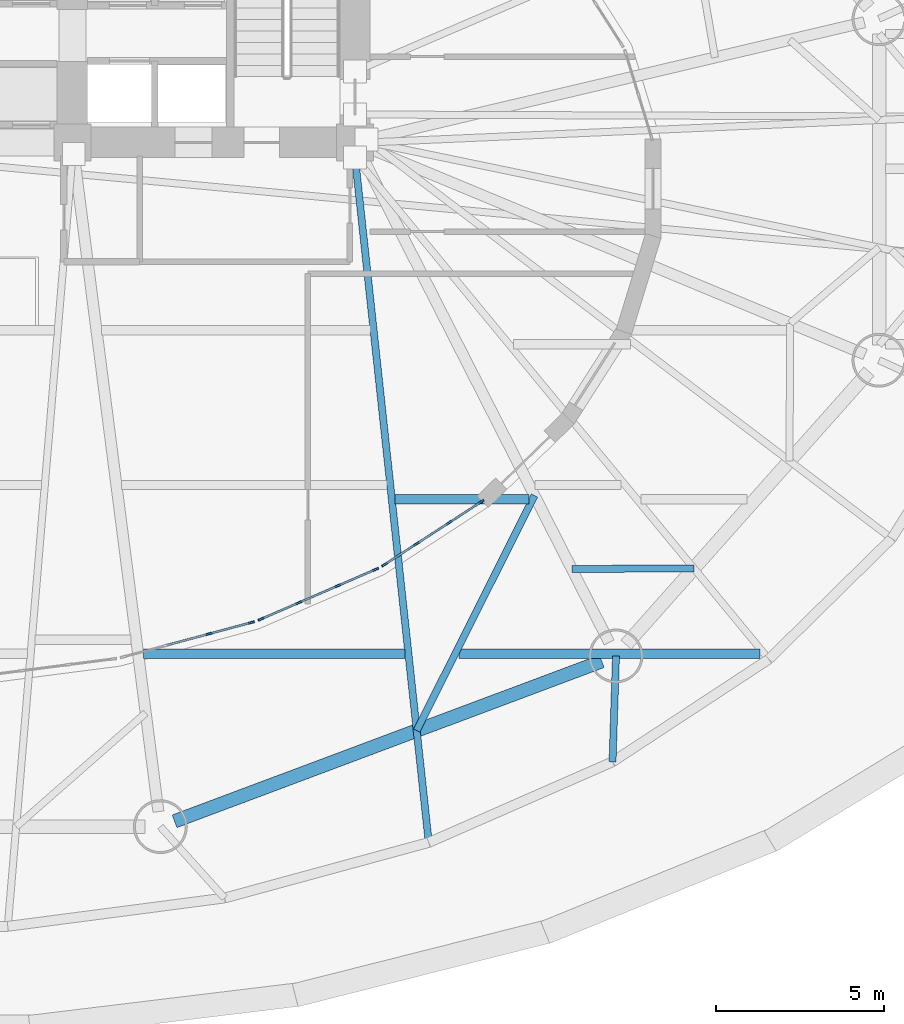
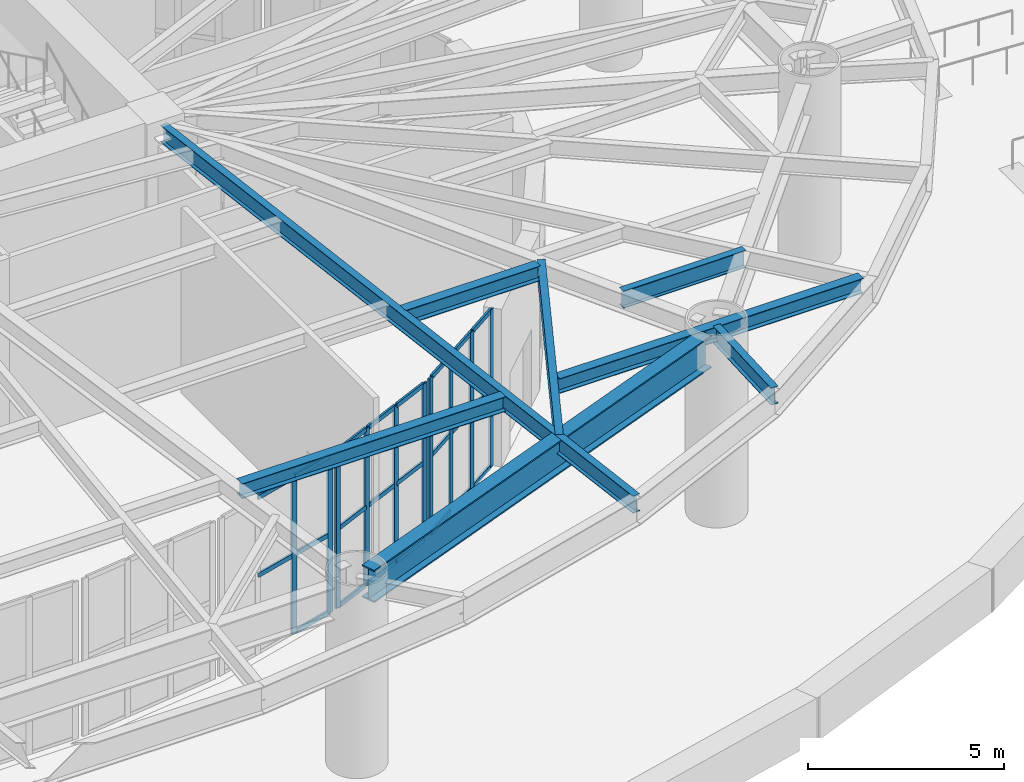
# One storey, part 5 of 21: 33 members, 8 beams, 3 elements without a shape of their own.
"""IFC4 building model written with IfcOpenShell, lengths in metres."""

from ifc_helpers import new_model, si_unit, direction, frame, origin, origin_2d, place, context, subcontext, project, spatial, rectangle, i_section, extrude, material, layer, layer_set, material_profile, profile_set, type_object, element, aggregate, save


model = new_model("IFC4")

# Units and contexts
model_context = context("Model", 3, precision=1e-05, world=origin(), true_north=direction((0.0, 1.0)))
body_context = subcontext(model_context, "Body", "Model", "MODEL_VIEW")
ifc_project = project(units=[si_unit("LENGTHUNIT", "METRE"), si_unit("AREAUNIT", "SQUARE_METRE"), si_unit("VOLUMEUNIT", "CUBIC_METRE"), si_unit("PLANEANGLEUNIT", "RADIAN"), si_unit("MASSUNIT", "GRAM", prefix="KILO")], contexts=[model_context])

# Site, building, storey
site_placement = place(None, origin())
site = spatial("IfcSite", under=ifc_project, at=site_placement, CompositionType="ELEMENT")
building_placement = place(site_placement, origin())
building = spatial("IfcBuilding", under=site, at=building_placement, Name="Keldmark Tower", CompositionType="ELEMENT")
storey_placement = place(building_placement, origin())
storey = spatial("IfcBuildingStorey", under=building, at=storey_placement, Name="L00", CompositionType="ELEMENT", Elevation=0.0)

# Beams
ifc_material_1 = material(Name="Steel ASTM A992 Grade 50", Category="steel")
ifc_material_profile_1 = material_profile(ifc_material_1, i_section(OverallWidth=0.280029296875, OverallDepth=0.462890625, WebThickness=0.0107421875, FlangeThickness=0.017333984375, at=origin_2d()), Name="W18X76")
ifc_profile_set_1 = profile_set([ifc_material_profile_1], Name="Steel ASTM A992 Grade 50")
beam_type_1 = type_object("IfcBeamType", Name="Composite Floor Joist W18X76", PredefinedType="JOIST", material=ifc_profile_set_1)
beam_1_placement = place(storey_placement, frame((7.311767578125, -13.800048828125, 5.548583984375), z_axis=(1.0, 0.0, 0.0), x_axis=(0.0, 1.0, 0.0)))
element("IfcBeam", 1, at=beam_1_placement, inside=storey, type_object=beam_type_1, Name="L00 Composite Floor Joist J06", PredefinedType="JOIST", context=body_context, shape_type="SweptSolid", body=[
    extrude(i_section(OverallWidth=0.280029296875, OverallDepth=0.462890625, WebThickness=0.0107421875, FlangeThickness=0.017333984375, at=origin_2d()), origin(), (0.0, 0.0, 1.0), 7.780029296875),
])
beam_2_placement = place(storey_placement, frame((16.68310546875, -13.800048828125, 5.548583984375), z_axis=(1.0, 0.0, 0.0), x_axis=(0.0, 1.0, 0.0)))
element("IfcBeam", 2, at=beam_2_placement, inside=storey, type_object=beam_type_1, Name="L00 Composite Floor Joist J07", PredefinedType="JOIST", context=body_context, shape_type="SweptSolid", body=[
    extrude(i_section(OverallWidth=0.280029296875, OverallDepth=0.462890625, WebThickness=0.0107421875, FlangeThickness=0.017333984375, at=origin_2d()), origin(), (0.0, 0.0, 1.0), 8.95751953125),
])
beam_3_placement = place(storey_placement, frame((14.789794921875, -9.199951171875, 5.548583984375), z_axis=(1.0, 0.0, 0.0), x_axis=(0.0, 1.0, 0.0)))
element("IfcBeam", 3, at=beam_3_placement, inside=storey, type_object=beam_type_1, Name="L00 Composite Floor Joist J14", PredefinedType="JOIST", context=body_context, shape_type="SweptSolid", body=[
    extrude(i_section(OverallWidth=0.280029296875, OverallDepth=0.462890625, WebThickness=0.0107421875, FlangeThickness=0.017333984375, at=origin_2d()), origin(), (0.0, 0.0, 1.0), 3.982421875),
])

# Curtain wall, members
ifc_material_2 = material(Name="Unitized Thermally Broken Aluminum and Triple Low-E Glazing", Category="aluminium")
ifc_layer = layer(ifc_material_2, 0.219970703125)
ifc_layer_set = layer_set([ifc_layer], Name="Unitized Thermally Broken Aluminum and Triple Low-E Glazing")
curtain_wall_type = type_object("IfcCurtainWallType", Name="Podium Wintergarden Curtain Wall System", PredefinedType="NOTDEFINED", material=ifc_layer_set)
curtain_wall_1_placement = place(storey_placement, origin())
curtain_wall_1 = element("IfcCurtainWall", 4, at=curtain_wall_1_placement, inside=storey, type_object=curtain_wall_type, Name="L00 Podium Wintergarden Curtain Wall System CW-L00-26", PredefinedType="NOTDEFINED")
ifc_material_3 = material(Name="Extruded Aluminum Alloy 6063-T6", Category="aluminium")
ifc_material_profile_2 = material_profile(ifc_material_3, rectangle(XDim=0.06005859375, YDim=0.139892578125, at=origin_2d()), Name="CWT60X140")
ifc_profile_set_2 = profile_set([ifc_material_profile_2], Name="Extruded Aluminum Alloy 6063-T6")
member_type_1 = type_object("IfcMemberType", Name="Curtain Wall Horizontal Transom 60x140", PredefinedType="USERDEFINED", material=ifc_profile_set_2)
member_1_placement = place(storey_placement, frame((8.006591796875, -13.540771484375, 2.45458984375), z_axis=(0.965749049902, 0.259477884632, 0.0), x_axis=(-0.259477884632, 0.965749049902, 0.0)))
member_1 = element("IfcMember", 5, at=member_1_placement, type_object=member_type_1, Name="CW transom 2.2", ObjectType="TRANSOM", PredefinedType="USERDEFINED", context=body_context, shape_type="SweptSolid", body=[
    extrude(rectangle(XDim=0.06005859375, YDim=0.139892578125, at=origin_2d()), origin(), (0.0, 0.0, 1.0), 1.27197265625),
])
member_2_placement = place(storey_placement, frame((8.006591796875, -13.540771484375, 4.87890625), z_axis=(0.965749049902, 0.259477884632, 0.0), x_axis=(-0.259477884632, 0.965749049902, 0.0)))
member_2 = element("IfcMember", 6, at=member_2_placement, type_object=member_type_1, Name="CW transom 2.3", ObjectType="TRANSOM", PredefinedType="USERDEFINED", context=body_context, shape_type="SweptSolid", body=[
    extrude(rectangle(XDim=0.06005859375, YDim=0.139892578125, at=origin_2d()), origin(), (0.0, 0.0, 1.0), 1.27197265625),
])
member_3_placement = place(storey_placement, frame((9.29296875, -13.195068359375, 0.030029296875), z_axis=(0.965701108512, 0.259656251647, 0.0), x_axis=(-0.259656251647, 0.965701108512, 0.0)))
member_3 = element("IfcMember", 7, at=member_3_placement, type_object=member_type_1, Name="CW transom 3.1", ObjectType="TRANSOM", PredefinedType="USERDEFINED", context=body_context, shape_type="SweptSolid", body=[
    extrude(rectangle(XDim=0.06005859375, YDim=0.139892578125, at=origin_2d()), origin(), (0.0, 0.0, 1.0), 1.241943359375),
])
member_4_placement = place(storey_placement, frame((9.29296875, -13.195068359375, 2.45458984375), z_axis=(0.965701108512, 0.259656251647, 0.0), x_axis=(-0.259656251647, 0.965701108512, 0.0)))
member_4 = element("IfcMember", 8, at=member_4_placement, type_object=member_type_1, Name="CW transom 3.2", ObjectType="TRANSOM", PredefinedType="USERDEFINED", context=body_context, shape_type="SweptSolid", body=[
    extrude(rectangle(XDim=0.06005859375, YDim=0.139892578125, at=origin_2d()), origin(), (0.0, 0.0, 1.0), 1.241943359375),
])
member_5_placement = place(storey_placement, frame((9.29296875, -13.195068359375, 4.87890625), z_axis=(0.965701108512, 0.259656251647, 0.0), x_axis=(-0.259656251647, 0.965701108512, 0.0)))
member_5 = element("IfcMember", 9, at=member_5_placement, type_object=member_type_1, Name="CW transom 3.3", ObjectType="TRANSOM", PredefinedType="USERDEFINED", context=body_context, shape_type="SweptSolid", body=[
    extrude(rectangle(XDim=0.06005859375, YDim=0.139892578125, at=origin_2d()), origin(), (0.0, 0.0, 1.0), 1.241943359375),
])

curtain_wall_2_placement = place(storey_placement, origin())
curtain_wall_2 = element("IfcCurtainWall", 10, at=curtain_wall_2_placement, inside=storey, type_object=curtain_wall_type, Name="L00 Podium Wintergarden Curtain Wall System CW-L00-27", PredefinedType="NOTDEFINED")
member_6_placement = place(storey_placement, frame((10.835693359375, -12.752685546875, 0.030029296875), z_axis=(0.917448753601, 0.39785397386, 0.0), x_axis=(-0.39785397386, 0.917448753601, 0.0)))
member_6 = element("IfcMember", 11, at=member_6_placement, type_object=member_type_1, Name="CW transom 1.1", ObjectType="TRANSOM", PredefinedType="USERDEFINED", context=body_context, shape_type="SweptSolid", body=[
    extrude(rectangle(XDim=0.06005859375, YDim=0.139892578125, at=origin_2d()), origin(), (0.0, 0.0, 1.0), 1.167236328125),
])
member_7_placement = place(storey_placement, frame((10.835693359375, -12.752685546875, 2.45458984375), z_axis=(0.917448753601, 0.39785397386, 0.0), x_axis=(-0.39785397386, 0.917448753601, 0.0)))
member_7 = element("IfcMember", 12, at=member_7_placement, type_object=member_type_1, Name="CW transom 1.2", ObjectType="TRANSOM", PredefinedType="USERDEFINED", context=body_context, shape_type="SweptSolid", body=[
    extrude(rectangle(XDim=0.06005859375, YDim=0.139892578125, at=origin_2d()), origin(), (0.0, 0.0, 1.0), 1.167236328125),
])
member_8_placement = place(storey_placement, frame((10.835693359375, -12.752685546875, 4.87890625), z_axis=(0.917448753601, 0.39785397386, 0.0), x_axis=(-0.39785397386, 0.917448753601, 0.0)))
member_8 = element("IfcMember", 13, at=member_8_placement, type_object=member_type_1, Name="CW transom 1.3", ObjectType="TRANSOM", PredefinedType="USERDEFINED", context=body_context, shape_type="SweptSolid", body=[
    extrude(rectangle(XDim=0.06005859375, YDim=0.139892578125, at=origin_2d()), origin(), (0.0, 0.0, 1.0), 1.167236328125),
])
member_9_placement = place(storey_placement, frame((11.96142578125, -12.264404296875, 0.030029296875), z_axis=(0.917416669768, 0.397927950804, 0.0), x_axis=(-0.397927950804, 0.917416669768, 0.0)))
member_9 = element("IfcMember", 14, at=member_9_placement, type_object=member_type_1, Name="CW transom 2.1", ObjectType="TRANSOM", PredefinedType="USERDEFINED", context=body_context, shape_type="SweptSolid", body=[
    extrude(rectangle(XDim=0.06005859375, YDim=0.139892578125, at=origin_2d()), origin(), (0.0, 0.0, 1.0), 1.197021484375),
])
member_10_placement = place(storey_placement, frame((11.96142578125, -12.264404296875, 2.45458984375), z_axis=(0.917416669768, 0.397927950804, 0.0), x_axis=(-0.397927950804, 0.917416669768, 0.0)))
member_10 = element("IfcMember", 15, at=member_10_placement, type_object=member_type_1, Name="CW transom 2.2", ObjectType="TRANSOM", PredefinedType="USERDEFINED", context=body_context, shape_type="SweptSolid", body=[
    extrude(rectangle(XDim=0.06005859375, YDim=0.139892578125, at=origin_2d()), origin(), (0.0, 0.0, 1.0), 1.197021484375),
])
member_11_placement = place(storey_placement, frame((11.96142578125, -12.264404296875, 4.87890625), z_axis=(0.917416669768, 0.397927950804, 0.0), x_axis=(-0.397927950804, 0.917416669768, 0.0)))
member_11 = element("IfcMember", 16, at=member_11_placement, type_object=member_type_1, Name="CW transom 2.3", ObjectType="TRANSOM", PredefinedType="USERDEFINED", context=body_context, shape_type="SweptSolid", body=[
    extrude(rectangle(XDim=0.06005859375, YDim=0.139892578125, at=origin_2d()), origin(), (0.0, 0.0, 1.0), 1.197021484375),
])
member_12_placement = place(storey_placement, frame((13.114501953125, -11.764404296875, 0.030029296875), z_axis=(0.917448753601, 0.39785397386, 0.0), x_axis=(-0.39785397386, 0.917448753601, 0.0)))
member_12 = element("IfcMember", 17, at=member_12_placement, type_object=member_type_1, Name="CW transom 3.1", ObjectType="TRANSOM", PredefinedType="USERDEFINED", context=body_context, shape_type="SweptSolid", body=[
    extrude(rectangle(XDim=0.06005859375, YDim=0.139892578125, at=origin_2d()), origin(), (0.0, 0.0, 1.0), 1.167236328125),
])
member_13_placement = place(storey_placement, frame((13.114501953125, -11.764404296875, 2.45458984375), z_axis=(0.917448753601, 0.39785397386, 0.0), x_axis=(-0.39785397386, 0.917448753601, 0.0)))
member_13 = element("IfcMember", 18, at=member_13_placement, type_object=member_type_1, Name="CW transom 3.2", ObjectType="TRANSOM", PredefinedType="USERDEFINED", context=body_context, shape_type="SweptSolid", body=[
    extrude(rectangle(XDim=0.06005859375, YDim=0.139892578125, at=origin_2d()), origin(), (0.0, 0.0, 1.0), 1.167236328125),
])
member_14_placement = place(storey_placement, frame((13.114501953125, -11.764404296875, 4.87890625), z_axis=(0.917448753601, 0.39785397386, 0.0), x_axis=(-0.39785397386, 0.917448753601, 0.0)))
member_14 = element("IfcMember", 19, at=member_14_placement, type_object=member_type_1, Name="CW transom 3.3", ObjectType="TRANSOM", PredefinedType="USERDEFINED", context=body_context, shape_type="SweptSolid", body=[
    extrude(rectangle(XDim=0.06005859375, YDim=0.139892578125, at=origin_2d()), origin(), (0.0, 0.0, 1.0), 1.167236328125),
])

curtain_wall_3_placement = place(storey_placement, origin())
curtain_wall_3 = element("IfcCurtainWall", 20, at=curtain_wall_3_placement, inside=storey, type_object=curtain_wall_type, Name="L00 Podium Wintergarden Curtain Wall System CW-L00-28", PredefinedType="NOTDEFINED")
member_15_placement = place(storey_placement, frame((14.501220703125, -11.13037109375, 0.030029296875), z_axis=(0.838781485441, 0.544468198962, 0.0), x_axis=(-0.544468198962, 0.838781485441, 0.0)))
member_15 = element("IfcMember", 21, at=member_15_placement, type_object=member_type_1, Name="CW transom 1.1", ObjectType="TRANSOM", PredefinedType="USERDEFINED", context=body_context, shape_type="SweptSolid", body=[
    extrude(rectangle(XDim=0.06005859375, YDim=0.139892578125, at=origin_2d()), origin(), (0.0, 0.0, 1.0), 1.072509765625),
])
member_16_placement = place(storey_placement, frame((14.501220703125, -11.13037109375, 2.45458984375), z_axis=(0.838781485441, 0.544468198962, 0.0), x_axis=(-0.544468198962, 0.838781485441, 0.0)))
member_16 = element("IfcMember", 22, at=member_16_placement, type_object=member_type_1, Name="CW transom 1.2", ObjectType="TRANSOM", PredefinedType="USERDEFINED", context=body_context, shape_type="SweptSolid", body=[
    extrude(rectangle(XDim=0.06005859375, YDim=0.139892578125, at=origin_2d()), origin(), (0.0, 0.0, 1.0), 1.072509765625),
])
member_17_placement = place(storey_placement, frame((14.501220703125, -11.13037109375, 4.87890625), z_axis=(0.838781485441, 0.544468198962, 0.0), x_axis=(-0.544468198962, 0.838781485441, 0.0)))
member_17 = element("IfcMember", 23, at=member_17_placement, type_object=member_type_1, Name="CW transom 1.3", ObjectType="TRANSOM", PredefinedType="USERDEFINED", context=body_context, shape_type="SweptSolid", body=[
    extrude(rectangle(XDim=0.06005859375, YDim=0.139892578125, at=origin_2d()), origin(), (0.0, 0.0, 1.0), 1.072509765625),
])
member_18_placement = place(storey_placement, frame((15.451171875, -10.513671875, 0.030029296875), z_axis=(0.838832870978, 0.544389028698, 0.0), x_axis=(-0.544389028698, 0.838832870978, 0.0)))
member_18 = element("IfcMember", 24, at=member_18_placement, type_object=member_type_1, Name="CW transom 2.1", ObjectType="TRANSOM", PredefinedType="USERDEFINED", context=body_context, shape_type="SweptSolid", body=[
    extrude(rectangle(XDim=0.06005859375, YDim=0.139892578125, at=origin_2d()), origin(), (0.0, 0.0, 1.0), 1.102783203125),
])
member_19_placement = place(storey_placement, frame((15.451171875, -10.513671875, 2.45458984375), z_axis=(0.838832870978, 0.544389028698, 0.0), x_axis=(-0.544389028698, 0.838832870978, 0.0)))
member_19 = element("IfcMember", 25, at=member_19_placement, type_object=member_type_1, Name="CW transom 2.2", ObjectType="TRANSOM", PredefinedType="USERDEFINED", context=body_context, shape_type="SweptSolid", body=[
    extrude(rectangle(XDim=0.06005859375, YDim=0.139892578125, at=origin_2d()), origin(), (0.0, 0.0, 1.0), 1.102783203125),
])
member_20_placement = place(storey_placement, frame((15.451171875, -10.513671875, 4.87890625), z_axis=(0.838832870978, 0.544389028698, 0.0), x_axis=(-0.544389028698, 0.838832870978, 0.0)))
member_20 = element("IfcMember", 26, at=member_20_placement, type_object=member_type_1, Name="CW transom 2.3", ObjectType="TRANSOM", PredefinedType="USERDEFINED", context=body_context, shape_type="SweptSolid", body=[
    extrude(rectangle(XDim=0.06005859375, YDim=0.139892578125, at=origin_2d()), origin(), (0.0, 0.0, 1.0), 1.102783203125),
])
member_21_placement = place(storey_placement, frame((16.426513671875, -9.880615234375, 0.030029296875), z_axis=(0.838781485441, 0.544468198962, 0.0), x_axis=(-0.544468198962, 0.838781485441, 0.0)))
member_21 = element("IfcMember", 27, at=member_21_placement, type_object=member_type_1, Name="CW transom 3.1", ObjectType="TRANSOM", PredefinedType="USERDEFINED", context=body_context, shape_type="SweptSolid", body=[
    extrude(rectangle(XDim=0.06005859375, YDim=0.139892578125, at=origin_2d()), origin(), (0.0, 0.0, 1.0), 1.072509765625),
])
member_22_placement = place(storey_placement, frame((16.426513671875, -9.880615234375, 2.45458984375), z_axis=(0.838781485441, 0.544468198962, 0.0), x_axis=(-0.544468198962, 0.838781485441, 0.0)))
member_22 = element("IfcMember", 28, at=member_22_placement, type_object=member_type_1, Name="CW transom 3.2", ObjectType="TRANSOM", PredefinedType="USERDEFINED", context=body_context, shape_type="SweptSolid", body=[
    extrude(rectangle(XDim=0.06005859375, YDim=0.139892578125, at=origin_2d()), origin(), (0.0, 0.0, 1.0), 1.072509765625),
])
member_23_placement = place(storey_placement, frame((16.426513671875, -9.880615234375, 4.87890625), z_axis=(0.838781485441, 0.544468198962, 0.0), x_axis=(-0.544468198962, 0.838781485441, 0.0)))
member_23 = element("IfcMember", 29, at=member_23_placement, type_object=member_type_1, Name="CW transom 3.3", ObjectType="TRANSOM", PredefinedType="USERDEFINED", context=body_context, shape_type="SweptSolid", body=[
    extrude(rectangle(XDim=0.06005859375, YDim=0.139892578125, at=origin_2d()), origin(), (0.0, 0.0, 1.0), 1.072509765625),
])

# Member
ifc_material_4 = material(Name="Extruded Aluminum Alloy 6063-T6", Category="aluminium")
ifc_material_profile_3 = material_profile(ifc_material_4, rectangle(XDim=0.06005859375, YDim=0.179931640625, at=origin_2d()), Name="CWM60X180")
ifc_profile_set_3 = profile_set([ifc_material_profile_3], Name="Extruded Aluminum Alloy 6063-T6")
member_type_2 = type_object("IfcMemberType", Name="Curtain Wall Structural Mullion 60x180", PredefinedType="MULLION", material=ifc_profile_set_3)
member_24_placement = place(storey_placement, frame((9.263916015625, -13.202880859375, 0.0), z_axis=(0.0, 0.0, 1.0), x_axis=(-0.259638704032, 0.965705826517, 0.0)))
member_24 = element("IfcMember", 30, at=member_24_placement, type_object=member_type_2, Name="CW mullion 3", PredefinedType="MULLION", context=body_context, shape_type="SweptSolid", body=[
    extrude(rectangle(XDim=0.06005859375, YDim=0.179931640625, at=origin_2d()), origin(), (0.0, 0.0, 1.0), 4.908935546875),
])

member_25_placement = place(storey_placement, frame((10.521240234375, -12.86474609375, 0.0), z_axis=(0.0, 0.0, 1.0), x_axis=(-0.259638704032, 0.965705826517, 0.0)))
member_25 = element("IfcMember", 31, at=member_25_placement, type_object=member_type_2, Name="CW mullion 4", PredefinedType="MULLION", context=body_context, shape_type="SweptSolid", body=[
    extrude(rectangle(XDim=0.06005859375, YDim=0.179931640625, at=origin_2d()), origin(), (0.0, 0.0, 1.0), 4.908935546875),
])

aggregate(curtain_wall_1, [member_24, member_25, member_1, member_2, member_3, member_4, member_5])

member_26_placement = place(storey_placement, frame((10.80810546875, -12.7646484375, 0.0), z_axis=(0.0, 0.0, 1.0), x_axis=(-0.397884264234, 0.91743561751, 0.0)))
member_26 = element("IfcMember", 32, at=member_26_placement, type_object=member_type_2, Name="CW mullion 1", PredefinedType="MULLION", context=body_context, shape_type="SweptSolid", body=[
    extrude(rectangle(XDim=0.06005859375, YDim=0.179931640625, at=origin_2d()), origin(), (0.0, 0.0, 1.0), 4.908935546875),
])

member_27_placement = place(storey_placement, frame((11.933837890625, -12.2763671875, 0.0), z_axis=(0.0, 0.0, 1.0), x_axis=(-0.397884264234, 0.91743561751, 0.0)))
member_27 = element("IfcMember", 33, at=member_27_placement, type_object=member_type_2, Name="CW mullion 2", PredefinedType="MULLION", context=body_context, shape_type="SweptSolid", body=[
    extrude(rectangle(XDim=0.06005859375, YDim=0.179931640625, at=origin_2d()), origin(), (0.0, 0.0, 1.0), 4.908935546875),
])

member_28_placement = place(storey_placement, frame((13.087158203125, -11.776123046875, 0.0), z_axis=(0.0, 0.0, 1.0), x_axis=(-0.397884264234, 0.91743561751, 0.0)))
member_28 = element("IfcMember", 34, at=member_28_placement, type_object=member_type_2, Name="CW mullion 3", PredefinedType="MULLION", context=body_context, shape_type="SweptSolid", body=[
    extrude(rectangle(XDim=0.06005859375, YDim=0.179931640625, at=origin_2d()), origin(), (0.0, 0.0, 1.0), 4.908935546875),
])

member_29_placement = place(storey_placement, frame((14.212890625, -11.2880859375, 0.0), z_axis=(0.0, 0.0, 1.0), x_axis=(-0.397884264234, 0.91743561751, 0.0)))
member_29 = element("IfcMember", 35, at=member_29_placement, type_object=member_type_2, Name="CW mullion 4", PredefinedType="MULLION", context=body_context, shape_type="SweptSolid", body=[
    extrude(rectangle(XDim=0.06005859375, YDim=0.179931640625, at=origin_2d()), origin(), (0.0, 0.0, 1.0), 4.908935546875),
])

aggregate(curtain_wall_2, [member_26, member_27, member_28, member_29, member_6, member_7, member_8, member_9, member_10, member_11, member_12, member_13, member_14])

member_30_placement = place(storey_placement, frame((14.47607421875, -11.146728515625, 0.0), z_axis=(0.0, 0.0, 1.0), x_axis=(-0.544496486973, 0.838763122505, 0.0)))
member_30 = element("IfcMember", 36, at=member_30_placement, type_object=member_type_2, Name="CW mullion 1", PredefinedType="MULLION", context=body_context, shape_type="SweptSolid", body=[
    extrude(rectangle(XDim=0.06005859375, YDim=0.179931640625, at=origin_2d()), origin(), (0.0, 0.0, 1.0), 4.908935546875),
])

member_31_placement = place(storey_placement, frame((15.426025390625, -10.530029296875, 0.0), z_axis=(0.0, 0.0, 1.0), x_axis=(-0.544496486973, 0.838763122505, 0.0)))
member_31 = element("IfcMember", 37, at=member_31_placement, type_object=member_type_2, Name="CW mullion 2", PredefinedType="MULLION", context=body_context, shape_type="SweptSolid", body=[
    extrude(rectangle(XDim=0.06005859375, YDim=0.179931640625, at=origin_2d()), origin(), (0.0, 0.0, 1.0), 4.908935546875),
])

member_32_placement = place(storey_placement, frame((16.4013671875, -9.89697265625, 0.0), z_axis=(0.0, 0.0, 1.0), x_axis=(-0.544496486973, 0.838763122505, 0.0)))
member_32 = element("IfcMember", 38, at=member_32_placement, type_object=member_type_2, Name="CW mullion 3", PredefinedType="MULLION", context=body_context, shape_type="SweptSolid", body=[
    extrude(rectangle(XDim=0.06005859375, YDim=0.179931640625, at=origin_2d()), origin(), (0.0, 0.0, 1.0), 4.908935546875),
])

member_33_placement = place(storey_placement, frame((17.351318359375, -9.2802734375, 0.0), z_axis=(0.0, 0.0, 1.0), x_axis=(-0.544496486973, 0.838763122505, 0.0)))
member_33 = element("IfcMember", 39, at=member_33_placement, type_object=member_type_2, Name="CW mullion 4", PredefinedType="MULLION", context=body_context, shape_type="SweptSolid", body=[
    extrude(rectangle(XDim=0.06005859375, YDim=0.179931640625, at=origin_2d()), origin(), (0.0, 0.0, 1.0), 4.908935546875),
])

aggregate(curtain_wall_3, [member_30, member_31, member_32, member_33, member_15, member_16, member_17, member_18, member_19, member_20, member_21, member_22, member_23])

# Beams
ifc_material_5 = material(Name="Steel ASTM A992 Grade 50", Category="steel")
ifc_material_profile_4 = material_profile(ifc_material_5, i_section(OverallWidth=0.402099609375, OverallDepth=1.011962890625, WebThickness=0.023681640625, FlangeThickness=0.0419921875, at=origin_2d()), Name="W40X297")
ifc_profile_set_4 = profile_set([ifc_material_profile_4], Name="Steel ASTM A992 Grade 50")
beam_type_2 = type_object("IfcBeamType", Name="Podium Primary Girder W40X297", PredefinedType="BEAM", material=ifc_profile_set_4)
beam_4_placement = place(storey_placement, frame((8.23779296875, -18.774169921875, 5.27392578125), z_axis=(0.936417954382, 0.350886612329, 0.0), x_axis=(-0.350886612329, 0.936417954382, 0.0)))
element("IfcBeam", 40, at=beam_4_placement, inside=storey, type_object=beam_type_2, Name="L00 Podium Ring Girder PG-R10", PredefinedType="BEAM", context=body_context, shape_type="SweptSolid", body=[
    extrude(i_section(OverallWidth=0.402099609375, OverallDepth=1.011962890625, WebThickness=0.023681640625, FlangeThickness=0.0419921875, at=origin_2d()), origin(), (0.0, 0.0, 1.0), 13.557373046875),
])
ifc_material_6 = material(Name="Steel ASTM A992 Grade 50", Category="steel")
ifc_material_profile_5 = material_profile(ifc_material_6, i_section(OverallWidth=0.2099609375, OverallDepth=0.537109375, WebThickness=0.010986328125, FlangeThickness=0.017333984375, at=origin_2d()), Name="W21X68")
ifc_profile_set_5 = profile_set([ifc_material_profile_5], Name="Steel ASTM A992 Grade 50")
beam_type_3 = type_object("IfcBeamType", Name="Radial Tie Girder W21X68", PredefinedType="BEAM", material=ifc_profile_set_5)
beam_5_placement = place(storey_placement, frame((18.93310546875, -9.09423828125, 5.511474609375), z_axis=(-0.447976051769, -0.894045556469, 0.0), x_axis=(0.894045556469, -0.447976051769, 0.0)))
element("IfcBeam", 41, at=beam_5_placement, inside=storey, type_object=beam_type_3, Name="L00 Framing Pin Header PH-021", PredefinedType="BEAM", context=body_context, shape_type="SweptSolid", body=[
    extrude(i_section(OverallWidth=0.2099609375, OverallDepth=0.537109375, WebThickness=0.010986328125, FlangeThickness=0.017333984375, at=origin_2d()), origin(), (0.0, 0.0, 1.0), 7.811279296875),
])
beam_6_placement = place(storey_placement, frame((13.60009765625, 0.949951171875, 5.511474609375), z_axis=(0.10706666985, -0.994251843452, 0.0), x_axis=(0.994251843452, 0.10706666985, 0.0)))
element("IfcBeam", 42, at=beam_6_placement, inside=storey, type_object=beam_type_3, Name="L00 Perimeter Radial Tie Girder RT-27", PredefinedType="BEAM", context=body_context, shape_type="SweptSolid", body=[
    extrude(i_section(OverallWidth=0.2099609375, OverallDepth=0.537109375, WebThickness=0.010986328125, FlangeThickness=0.017333984375, at=origin_2d()), origin(), (0.0, 0.0, 1.0), 20.469970703125),
])
beam_7_placement = place(storey_placement, frame((21.3544921875, -13.859375, 5.511474609375), z_axis=(-0.032491176768, -0.999472022336, 0.0), x_axis=(0.999472022336, -0.032491176768, 0.0)))
element("IfcBeam", 43, at=beam_7_placement, inside=storey, type_object=beam_type_3, Name="L00 Perimeter Column Bracket RT-28", PredefinedType="BEAM", context=body_context, shape_type="SweptSolid", body=[
    extrude(i_section(OverallWidth=0.2099609375, OverallDepth=0.537109375, WebThickness=0.010986328125, FlangeThickness=0.017333984375, at=origin_2d()), origin(), (0.0, 0.0, 1.0), 3.1484375),
])
beam_8_placement = place(storey_placement, frame((20.0419921875, -11.276123046875, 5.511474609375), z_axis=(0.999986569863, 0.005182672537, 0.0), x_axis=(-0.005182672537, 0.999986569863, 0.0)))
element("IfcBeam", 44, at=beam_8_placement, inside=storey, type_object=beam_type_3, Name="L00 Framing Pin Header PH-022", PredefinedType="BEAM", context=body_context, shape_type="SweptSolid", body=[
    extrude(i_section(OverallWidth=0.2099609375, OverallDepth=0.537109375, WebThickness=0.010986328125, FlangeThickness=0.017333984375, at=origin_2d()), origin(), (0.0, 0.0, 1.0), 3.627197265625),
])

save(model, "model.ifc")
